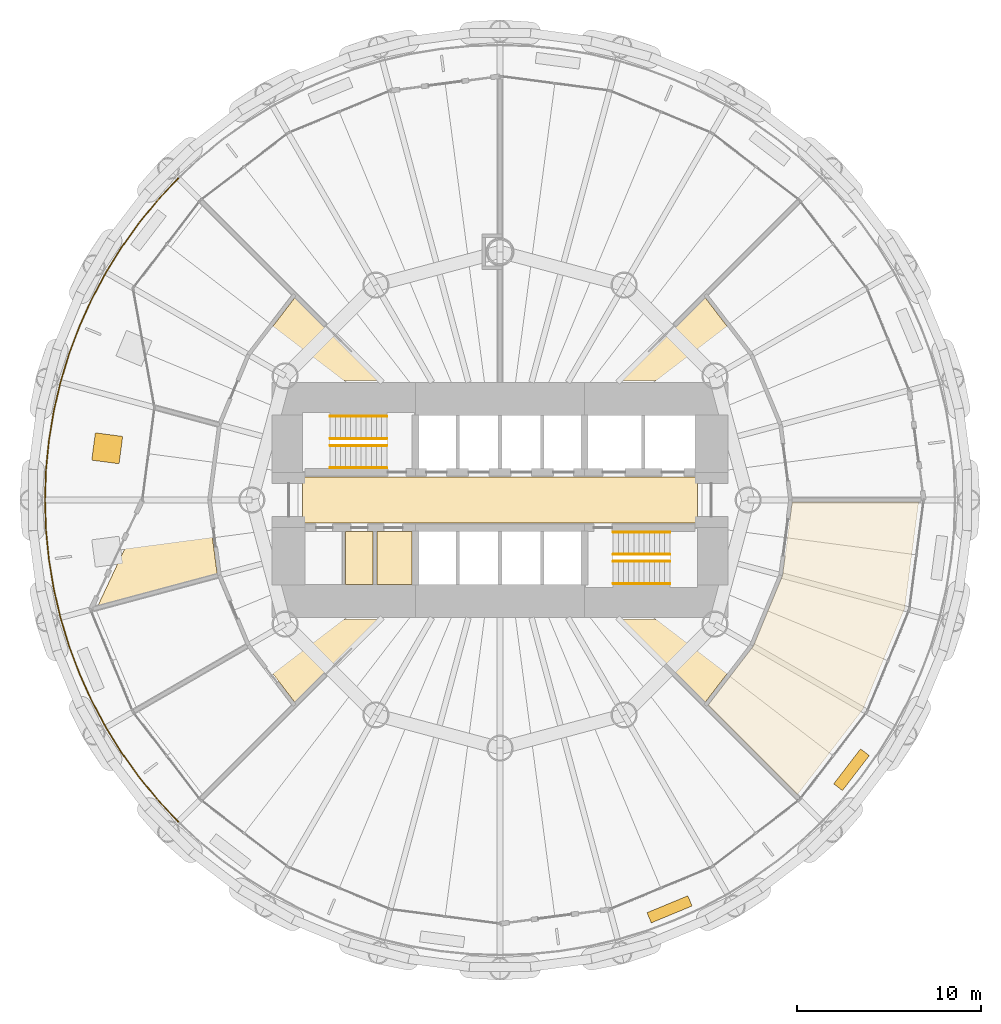
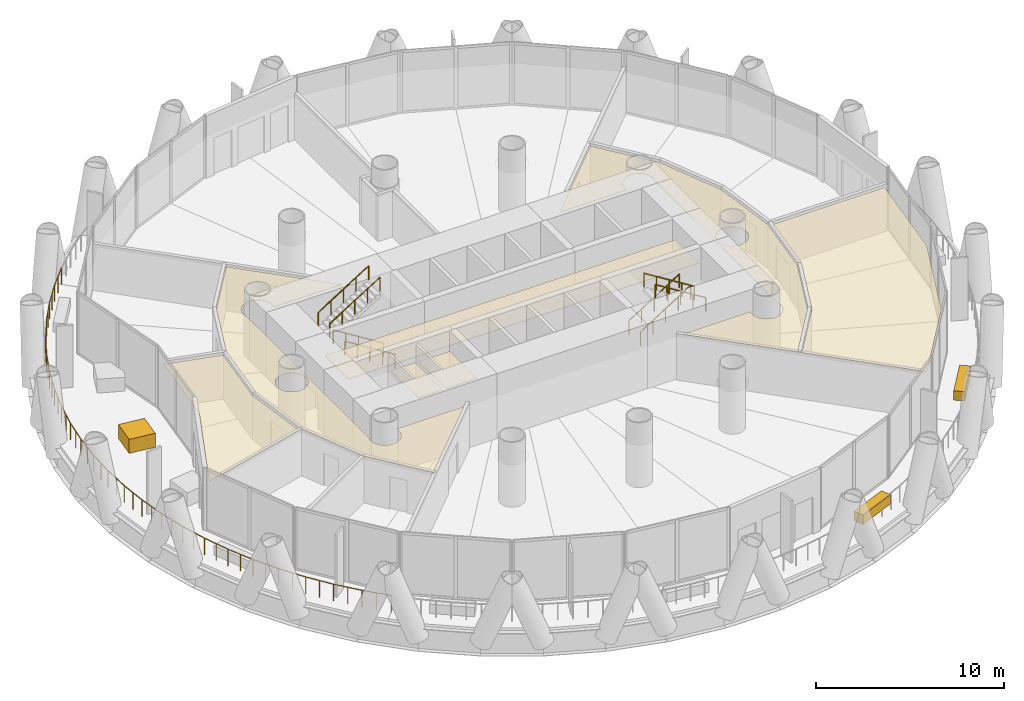
# One storey, part 13 of 15: 10 coverings, 9 railings.
"""IFC4 building model written with IfcOpenShell, lengths in metres."""

from ifc_helpers import new_model, si_unit, direction, frame, origin, origin_2d, place, context, subcontext, project, spatial, polyline, rectangle, circle, outline, extrude, material, layer, layer_set, type_object, element, save


model = new_model("IFC4")

# Units and contexts
model_context = context("Model", 3, precision=1e-05, world=origin(), true_north=direction((0.0, 1.0)))
body_context = subcontext(model_context, "Body", "Model", "MODEL_VIEW")
ifc_project = project(units=[si_unit("LENGTHUNIT", "METRE"), si_unit("AREAUNIT", "SQUARE_METRE"), si_unit("VOLUMEUNIT", "CUBIC_METRE"), si_unit("PLANEANGLEUNIT", "RADIAN"), si_unit("MASSUNIT", "GRAM", prefix="KILO")], contexts=[model_context])

# Site, building, storey
site_placement = place(None, origin())
site = spatial("IfcSite", under=ifc_project, at=site_placement, CompositionType="ELEMENT")
building_placement = place(site_placement, origin())
building = spatial("IfcBuilding", under=site, at=building_placement, Name="Qaws Media Tower", CompositionType="ELEMENT")
storey_placement = place(building_placement, frame((0.0, 0.0, 72.199951171875)))
storey = spatial("IfcBuildingStorey", under=building, at=storey_placement, Name="L15", CompositionType="ELEMENT", Elevation=72.199951171875)

# Railing
ifc_material_1 = material(Name="Stainless steel and glass guard", Category="steel")
railing_type_1 = type_object("IfcRailingType", Name="Balcony guard 1100", PredefinedType="GUARDRAIL", material=ifc_material_1)
railing_placement = place(storey_placement, frame((42.4990234375, 67.5009765625, 0.0)))
element("IfcRailing", 1, at=railing_placement, inside=storey, type_object=railing_type_1, Name="GR1 balcony guard L15-2", PredefinedType="GUARDRAIL", context=body_context, shape_type="SweptSolid", body=[
    extrude(circle(Radius=0.02392578125, at=origin_2d()), frame((0.0, 0.0, 1.076171875), z_axis=(-0.683590062432, -0.729866170297, 0.0), x_axis=(0.729866170297, -0.683590062432, 0.0)), (0.0, 0.0, 1.0), 1.61962890625),
    extrude(circle(Radius=0.02392578125, at=origin_2d()), frame((-1.107177734375, -1.18212890625, 1.076171875), z_axis=(-0.634353572698, -0.773043042014, 0.0), x_axis=(0.773043042014, -0.634353572698, 0.0)), (0.0, 0.0, 1.0), 1.61962890625),
    extrude(circle(Radius=0.02392578125, at=origin_2d()), frame((-2.134521484375, -2.43408203125, 1.076171875), z_axis=(-0.582421013826, -0.812887300094, 0.0), x_axis=(0.812887300094, -0.582421013826, 0.0)), (0.0, 0.0, 1.0), 1.61962890625),
    extrude(circle(Radius=0.02392578125, at=origin_2d()), frame((-3.077880859375, -3.750732421875, 1.076171875), z_axis=(-0.528086930449, -0.849190316648, 0.0), x_axis=(0.849190316648, -0.528086930449, 0.0)), (0.0, 0.0, 1.0), 1.619384765625),
    extrude(circle(Radius=0.02392578125, at=origin_2d()), frame((-3.93310546875, -5.1259765625, 1.076171875), z_axis=(-0.471346949738, -0.881947874294, 0.0), x_axis=(0.881947874294, -0.471346949738, 0.0)), (0.0, 0.0, 1.0), 1.61962890625),
    extrude(circle(Radius=0.02392578125, at=origin_2d()), frame((-4.696533203125, -6.554443359375, 1.076171875), z_axis=(-0.412757736329, -0.910840848393, 0.0), x_axis=(0.910840848393, -0.412757736329, 0.0)), (0.0, 0.0, 1.0), 1.619384765625),
    extrude(circle(Radius=0.02392578125, at=origin_2d()), frame((-5.364990234375, -8.029541015625, 1.076171875), z_axis=(-0.352262970537, -0.935901062927, 0.0), x_axis=(0.935901062927, -0.352262970537, 0.0)), (0.0, 0.0, 1.0), 1.61962890625),
    extrude(circle(Radius=0.02392578125, at=origin_2d()), frame((-5.935546875, -9.54541015625, 1.076171875), z_axis=(-0.290333716596, -0.956925458438, 0.0), x_axis=(0.956925458438, -0.290333716596, 0.0)), (0.0, 0.0, 1.0), 1.61962890625),
    extrude(circle(Radius=0.02392578125, at=origin_2d()), frame((-6.40576171875, -11.09521484375, 1.076171875), z_axis=(-0.227005652619, -0.973893440618, 0.0), x_axis=(0.973893440618, -0.227005652619, 0.0)), (0.0, 0.0, 1.0), 1.61962890625),
    extrude(circle(Radius=0.02392578125, at=origin_2d()), frame((-6.7734375, -12.672607421875, 1.076171875), z_axis=(-0.162956538036, -0.986633248331, 0.0), x_axis=(0.986633248331, -0.162956538036, 0.0)), (0.0, 0.0, 1.0), 1.61962890625),
    extrude(circle(Radius=0.02392578125, at=origin_2d()), frame((-7.037353515625, -14.2705078125, 1.076171875), z_axis=(-0.097981273566, -0.995188258587, 0.0), x_axis=(0.995188258587, -0.097981273566, 0.0)), (0.0, 0.0, 1.0), 1.61962890625),
    extrude(circle(Radius=0.02392578125, at=origin_2d()), frame((-7.196044921875, -15.88232421875, 1.076171875), z_axis=(-0.032712498078, -0.999464803017, 0.0), x_axis=(0.999464803017, -0.032712498078, 0.0)), (0.0, 0.0, 1.0), 1.61962890625),
    extrude(circle(Radius=0.02392578125, at=origin_2d()), frame((-7.2490234375, -17.5009765625, 1.076171875), z_axis=(0.032712498078, -0.999464803017, 0.0), x_axis=(0.999464803017, 0.032712498078, 0.0)), (0.0, 0.0, 1.0), 1.61962890625),
    extrude(circle(Radius=0.02392578125, at=origin_2d()), frame((-7.196044921875, -19.11962890625, 1.076171875), z_axis=(0.097981273566, -0.995188258587, 0.0), x_axis=(0.995188258587, 0.097981273566, 0.0)), (0.0, 0.0, 1.0), 1.61962890625),
    extrude(circle(Radius=0.02392578125, at=origin_2d()), frame((-7.037353515625, -20.7314453125, 1.076171875), z_axis=(0.162956538036, -0.986633248331, 0.0), x_axis=(0.986633248331, 0.162956538036, 0.0)), (0.0, 0.0, 1.0), 1.61962890625),
    extrude(circle(Radius=0.02392578125, at=origin_2d()), frame((-6.7734375, -22.329345703125, 1.076171875), z_axis=(0.227005652619, -0.973893440618, 0.0), x_axis=(0.973893440618, 0.227005652619, 0.0)), (0.0, 0.0, 1.0), 1.61962890625),
    extrude(circle(Radius=0.02392578125, at=origin_2d()), frame((-6.40576171875, -23.90673828125, 1.076171875), z_axis=(0.290333716596, -0.956925458438, 0.0), x_axis=(0.956925458438, 0.290333716596, 0.0)), (0.0, 0.0, 1.0), 1.61962890625),
    extrude(circle(Radius=0.02392578125, at=origin_2d()), frame((-5.935546875, -25.45654296875, 1.076171875), z_axis=(0.352262970537, -0.935901062927, 0.0), x_axis=(0.935901062927, 0.352262970537, 0.0)), (0.0, 0.0, 1.0), 1.61962890625),
    extrude(circle(Radius=0.02392578125, at=origin_2d()), frame((-5.364990234375, -26.972412109375, 1.076171875), z_axis=(0.412757736329, -0.910840848393, 0.0), x_axis=(0.910840848393, 0.412757736329, 0.0)), (0.0, 0.0, 1.0), 1.619384765625),
    extrude(circle(Radius=0.02392578125, at=origin_2d()), frame((-4.696533203125, -28.447509765625, 1.076171875), z_axis=(0.471346949738, -0.881947874294, 0.0), x_axis=(0.881947874294, 0.471346949738, 0.0)), (0.0, 0.0, 1.0), 1.61962890625),
    extrude(circle(Radius=0.02392578125, at=origin_2d()), frame((-3.93310546875, -29.8759765625, 1.076171875), z_axis=(0.528086930449, -0.849190316648, 0.0), x_axis=(0.849190316648, 0.528086930449, 0.0)), (0.0, 0.0, 1.0), 1.619384765625),
    extrude(circle(Radius=0.02392578125, at=origin_2d()), frame((-3.077880859375, -31.251220703125, 1.076171875), z_axis=(0.582421013826, -0.812887300094, 0.0), x_axis=(0.812887300094, 0.582421013826, 0.0)), (0.0, 0.0, 1.0), 1.61962890625),
    extrude(circle(Radius=0.02392578125, at=origin_2d()), frame((-2.134521484375, -32.56787109375, 1.076171875), z_axis=(0.634353572698, -0.773043042014, 0.0), x_axis=(0.773043042014, 0.634353572698, 0.0)), (0.0, 0.0, 1.0), 1.61962890625),
    extrude(circle(Radius=0.02392578125, at=origin_2d()), frame((-1.107177734375, -33.81982421875, 1.076171875), z_axis=(0.683590062432, -0.729866170297, 0.0), x_axis=(0.729866170297, 0.683590062432, 0.0)), (0.0, 0.0, 1.0), 1.61962890625),
    extrude(circle(Radius=0.02099609375, at=origin_2d()), origin(), (0.0, 0.0, 1.0), 1.052001953125),
    extrude(circle(Radius=0.02099609375, at=origin_2d()), frame((-0.5537109375, -0.591064453125, 0.0)), (0.0, 0.0, 1.0), 1.052001953125),
    extrude(circle(Radius=0.02099609375, at=origin_2d()), frame((-1.107177734375, -1.18212890625, 0.0)), (0.0, 0.0, 1.0), 1.052001953125),
    extrude(circle(Radius=0.02099609375, at=origin_2d()), frame((-1.620849609375, -1.80810546875, 0.0)), (0.0, 0.0, 1.0), 1.052001953125),
    extrude(circle(Radius=0.02099609375, at=origin_2d()), frame((-2.134521484375, -2.43408203125, 0.0)), (0.0, 0.0, 1.0), 1.052001953125),
    extrude(circle(Radius=0.02099609375, at=origin_2d()), frame((-2.606201171875, -3.09228515625, 0.0)), (0.0, 0.0, 1.0), 1.052001953125),
    extrude(circle(Radius=0.02099609375, at=origin_2d()), frame((-3.077880859375, -3.750732421875, 0.0)), (0.0, 0.0, 1.0), 1.052001953125),
    extrude(circle(Radius=0.02099609375, at=origin_2d()), frame((-3.50537109375, -4.4384765625, 0.0)), (0.0, 0.0, 1.0), 1.052001953125),
    extrude(circle(Radius=0.02099609375, at=origin_2d()), frame((-3.93310546875, -5.1259765625, 0.0)), (0.0, 0.0, 1.0), 1.052001953125),
    extrude(circle(Radius=0.02099609375, at=origin_2d()), frame((-4.31494140625, -5.84033203125, 0.0)), (0.0, 0.0, 1.0), 1.052001953125),
    extrude(circle(Radius=0.02099609375, at=origin_2d()), frame((-4.696533203125, -6.554443359375, 0.0)), (0.0, 0.0, 1.0), 1.052001953125),
    extrude(circle(Radius=0.02099609375, at=origin_2d()), frame((-5.03076171875, -7.2919921875, 0.0)), (0.0, 0.0, 1.0), 1.052001953125),
    extrude(circle(Radius=0.02099609375, at=origin_2d()), frame((-5.364990234375, -8.029541015625, 0.0)), (0.0, 0.0, 1.0), 1.052001953125),
    extrude(circle(Radius=0.02099609375, at=origin_2d()), frame((-5.650390625, -8.78759765625, 0.0)), (0.0, 0.0, 1.0), 1.052001953125),
    extrude(circle(Radius=0.02099609375, at=origin_2d()), frame((-5.935546875, -9.54541015625, 0.0)), (0.0, 0.0, 1.0), 1.052001953125),
    extrude(circle(Radius=0.02099609375, at=origin_2d()), frame((-6.170654296875, -10.3203125, 0.0)), (0.0, 0.0, 1.0), 1.052001953125),
    extrude(circle(Radius=0.02099609375, at=origin_2d()), frame((-6.40576171875, -11.09521484375, 0.0)), (0.0, 0.0, 1.0), 1.052001953125),
    extrude(circle(Radius=0.02099609375, at=origin_2d()), frame((-6.589599609375, -11.8837890625, 0.0)), (0.0, 0.0, 1.0), 1.052001953125),
    extrude(circle(Radius=0.02099609375, at=origin_2d()), frame((-6.7734375, -12.672607421875, 0.0)), (0.0, 0.0, 1.0), 1.052001953125),
    extrude(circle(Radius=0.02099609375, at=origin_2d()), frame((-6.9052734375, -13.4716796875, 0.0)), (0.0, 0.0, 1.0), 1.052001953125),
    extrude(circle(Radius=0.02099609375, at=origin_2d()), frame((-7.037353515625, -14.2705078125, 0.0)), (0.0, 0.0, 1.0), 1.052001953125),
    extrude(circle(Radius=0.02099609375, at=origin_2d()), frame((-7.11669921875, -15.076416015625, 0.0)), (0.0, 0.0, 1.0), 1.052001953125),
    extrude(circle(Radius=0.02099609375, at=origin_2d()), frame((-7.196044921875, -15.88232421875, 0.0)), (0.0, 0.0, 1.0), 1.052001953125),
    extrude(circle(Radius=0.02099609375, at=origin_2d()), frame((-7.22265625, -16.691650390625, 0.0)), (0.0, 0.0, 1.0), 1.052001953125),
    extrude(circle(Radius=0.02099609375, at=origin_2d()), frame((-7.2490234375, -17.5009765625, 0.0)), (0.0, 0.0, 1.0), 1.052001953125),
    extrude(circle(Radius=0.02099609375, at=origin_2d()), frame((-7.22265625, -18.310302734375, 0.0)), (0.0, 0.0, 1.0), 1.052001953125),
    extrude(circle(Radius=0.02099609375, at=origin_2d()), frame((-7.196044921875, -19.11962890625, 0.0)), (0.0, 0.0, 1.0), 1.052001953125),
    extrude(circle(Radius=0.02099609375, at=origin_2d()), frame((-7.11669921875, -19.925537109375, 0.0)), (0.0, 0.0, 1.0), 1.052001953125),
    extrude(circle(Radius=0.02099609375, at=origin_2d()), frame((-7.037353515625, -20.7314453125, 0.0)), (0.0, 0.0, 1.0), 1.052001953125),
    extrude(circle(Radius=0.02099609375, at=origin_2d()), frame((-6.9052734375, -21.5302734375, 0.0)), (0.0, 0.0, 1.0), 1.052001953125),
    extrude(circle(Radius=0.02099609375, at=origin_2d()), frame((-6.7734375, -22.329345703125, 0.0)), (0.0, 0.0, 1.0), 1.052001953125),
    extrude(circle(Radius=0.02099609375, at=origin_2d()), frame((-6.589599609375, -23.1181640625, 0.0)), (0.0, 0.0, 1.0), 1.052001953125),
    extrude(circle(Radius=0.02099609375, at=origin_2d()), frame((-6.40576171875, -23.90673828125, 0.0)), (0.0, 0.0, 1.0), 1.052001953125),
    extrude(circle(Radius=0.02099609375, at=origin_2d()), frame((-6.170654296875, -24.681640625, 0.0)), (0.0, 0.0, 1.0), 1.052001953125),
    extrude(circle(Radius=0.02099609375, at=origin_2d()), frame((-5.935546875, -25.45654296875, 0.0)), (0.0, 0.0, 1.0), 1.052001953125),
    extrude(circle(Radius=0.02099609375, at=origin_2d()), frame((-5.650390625, -26.21435546875, 0.0)), (0.0, 0.0, 1.0), 1.052001953125),
    extrude(circle(Radius=0.02099609375, at=origin_2d()), frame((-5.364990234375, -26.972412109375, 0.0)), (0.0, 0.0, 1.0), 1.052001953125),
    extrude(circle(Radius=0.02099609375, at=origin_2d()), frame((-5.03076171875, -27.7099609375, 0.0)), (0.0, 0.0, 1.0), 1.052001953125),
    extrude(circle(Radius=0.02099609375, at=origin_2d()), frame((-4.696533203125, -28.447509765625, 0.0)), (0.0, 0.0, 1.0), 1.052001953125),
    extrude(circle(Radius=0.02099609375, at=origin_2d()), frame((-4.31494140625, -29.16162109375, 0.0)), (0.0, 0.0, 1.0), 1.052001953125),
    extrude(circle(Radius=0.02099609375, at=origin_2d()), frame((-3.93310546875, -29.8759765625, 0.0)), (0.0, 0.0, 1.0), 1.052001953125),
    extrude(circle(Radius=0.02099609375, at=origin_2d()), frame((-3.50537109375, -30.5634765625, 0.0)), (0.0, 0.0, 1.0), 1.052001953125),
    extrude(circle(Radius=0.02099609375, at=origin_2d()), frame((-3.077880859375, -31.251220703125, 0.0)), (0.0, 0.0, 1.0), 1.052001953125),
    extrude(circle(Radius=0.02099609375, at=origin_2d()), frame((-2.606201171875, -31.90966796875, 0.0)), (0.0, 0.0, 1.0), 1.052001953125),
    extrude(circle(Radius=0.02099609375, at=origin_2d()), frame((-2.134521484375, -32.56787109375, 0.0)), (0.0, 0.0, 1.0), 1.052001953125),
    extrude(circle(Radius=0.02099609375, at=origin_2d()), frame((-1.620849609375, -33.19384765625, 0.0)), (0.0, 0.0, 1.0), 1.052001953125),
    extrude(circle(Radius=0.02099609375, at=origin_2d()), frame((-1.107177734375, -33.81982421875, 0.0)), (0.0, 0.0, 1.0), 1.052001953125),
    extrude(circle(Radius=0.02099609375, at=origin_2d()), frame((-0.5537109375, -34.410888671875, 0.0)), (0.0, 0.0, 1.0), 1.052001953125),
    extrude(circle(Radius=0.02099609375, at=origin_2d()), frame((0.0, -35.001953125, 0.0)), (0.0, 0.0, 1.0), 1.052001953125),
])

# Coverings
ifc_material_2 = material(Name="600 x 600 mineral fibre tiles in exposed grid, suspended", Category="mineral fibre")
ifc_layer_1 = layer(ifc_material_2, 0.02001953125)
ifc_layer_set_1 = layer_set([ifc_layer_1], Name="Mineral fibre tile ceiling 20")
covering_type_1 = type_object("IfcCoveringType", Name="Mineral fibre tile ceiling 20", PredefinedType="CEILING", material=ifc_layer_set_1)
covering_1_placement = place(storey_placement, frame((0.0, 0.0, 2.85009765625)))
element("IfcCovering", 2, at=covering_1_placement, inside=storey, type_object=covering_type_1, Name="CL1 ceiling L15-01 Corridor", PredefinedType="CEILING", context=body_context, shape_type="SweptSolid", body=[
    extrude(outline(polyline([(46.4150390625, 42.15673828125), (44.847900390625, 45.93994140625), (44.3134765625, 50.0), (44.847900390625, 54.06005859375), (46.4150390625, 57.84326171875), (48.8388671875, 61.001953125), (53.328369140625, 56.512451171875), (49.14599609375, 56.512451171875), (49.14990234375, 56.524658203125), (49.172119140625, 56.63623046875), (49.1796875, 56.75), (49.172119140625, 56.86376953125), (49.14990234375, 56.975341796875), (49.11328125, 57.083251953125), (49.06298828125, 57.185546875), (48.999755859375, 57.2802734375), (48.924560546875, 57.365966796875), (48.8388671875, 57.44091796875), (48.744140625, 57.50439453125), (48.64208984375, 57.5546875), (48.5341796875, 57.59130859375), (48.42236328125, 57.613525390625), (48.30859375, 57.62109375), (48.195068359375, 57.613525390625), (48.083251953125, 57.59130859375), (47.975341796875, 57.5546875), (47.873291015625, 57.50439453125), (47.7783203125, 57.44091796875), (47.69287109375, 57.365966796875), (47.61767578125, 57.2802734375), (47.55419921875, 57.185546875), (47.50390625, 57.083251953125), (47.46728515625, 56.975341796875), (47.445068359375, 56.86376953125), (47.437744140625, 56.75), (47.445068359375, 56.63623046875), (47.46728515625, 56.524658203125), (47.487548828125, 56.465087890625), (47.487548828125, 43.534912109375), (47.46728515625, 43.475341796875), (47.445068359375, 43.36376953125), (47.437744140625, 43.25), (47.445068359375, 43.13623046875), (47.46728515625, 43.024658203125), (47.50390625, 42.916748046875), (47.55419921875, 42.814453125), (47.61767578125, 42.7197265625), (47.69287109375, 42.634033203125), (47.7783203125, 42.55908203125), (47.873291015625, 42.49560546875), (47.975341796875, 42.4453125), (48.083251953125, 42.40869140625), (48.195068359375, 42.386474609375), (48.30859375, 42.37890625), (48.42236328125, 42.386474609375), (48.5341796875, 42.40869140625), (48.64208984375, 42.4453125), (48.744140625, 42.49560546875), (48.8388671875, 42.55908203125), (48.924560546875, 42.634033203125), (48.999755859375, 42.7197265625), (49.06298828125, 42.814453125), (49.11328125, 42.916748046875), (49.14990234375, 43.024658203125), (49.172119140625, 43.13623046875), (49.1796875, 43.25), (49.172119140625, 43.36376953125), (49.14990234375, 43.475341796875), (49.14599609375, 43.487548828125), (53.328369140625, 43.487548828125), (48.8388671875, 38.998046875), (46.4150390625, 42.15673828125)]), holes=[polyline([(47.3046875, 49.666748046875), (47.34130859375, 49.774658203125), (47.363525390625, 49.88623046875), (47.37109375, 50.0), (47.363525390625, 50.11376953125), (47.34130859375, 50.225341796875), (47.3046875, 50.333251953125), (47.25439453125, 50.435546875), (47.19091796875, 50.5302734375), (47.115966796875, 50.615966796875), (47.0302734375, 50.69091796875), (46.935546875, 50.75439453125), (46.833251953125, 50.8046875), (46.725341796875, 50.84130859375), (46.61376953125, 50.863525390625), (46.5, 50.87109375), (46.38623046875, 50.863525390625), (46.274658203125, 50.84130859375), (46.166748046875, 50.8046875), (46.064453125, 50.75439453125), (45.9697265625, 50.69091796875), (45.884033203125, 50.615966796875), (45.80908203125, 50.5302734375), (45.74560546875, 50.435546875), (45.6953125, 50.333251953125), (45.65869140625, 50.225341796875), (45.636474609375, 50.11376953125), (45.62890625, 50.0), (45.636474609375, 49.88623046875), (45.65869140625, 49.774658203125), (45.6953125, 49.666748046875), (45.74560546875, 49.564453125), (45.80908203125, 49.4697265625), (45.884033203125, 49.384033203125), (45.9697265625, 49.30908203125), (46.064453125, 49.24560546875), (46.166748046875, 49.1953125), (46.274658203125, 49.15869140625), (46.38623046875, 49.136474609375), (46.5, 49.12890625), (46.61376953125, 49.136474609375), (46.725341796875, 49.15869140625), (46.833251953125, 49.1953125), (46.935546875, 49.24560546875), (47.0302734375, 49.30908203125), (47.115966796875, 49.384033203125), (47.19091796875, 49.4697265625), (47.25439453125, 49.564453125), (47.3046875, 49.666748046875)])]), origin(), (0.0, 0.0, 1.0), 0.02001953125),
])
covering_2_placement = place(storey_placement, frame((0.0, 0.0, 2.85009765625)))
element("IfcCovering", 3, at=covering_2_placement, inside=storey, type_object=covering_type_1, Name="CL1 ceiling L15-01-1 Corridor", PredefinedType="CEILING", context=body_context, shape_type="SweptSolid", body=[
    extrude(outline(polyline([(73.5849609375, 57.84326171875), (75.152099609375, 54.06005859375), (75.6865234375, 50.0), (75.152099609375, 45.93994140625), (73.5849609375, 42.15673828125), (71.1611328125, 38.998046875), (66.671630859375, 43.487548828125), (70.85400390625, 43.487548828125), (70.85009765625, 43.475341796875), (70.827880859375, 43.36376953125), (70.8203125, 43.25), (70.827880859375, 43.13623046875), (70.85009765625, 43.024658203125), (70.88671875, 42.916748046875), (70.93701171875, 42.814453125), (71.000244140625, 42.7197265625), (71.075439453125, 42.634033203125), (71.1611328125, 42.55908203125), (71.255859375, 42.49560546875), (71.35791015625, 42.4453125), (71.4658203125, 42.40869140625), (71.57763671875, 42.386474609375), (71.69140625, 42.37890625), (71.804931640625, 42.386474609375), (71.916748046875, 42.40869140625), (72.024658203125, 42.4453125), (72.126708984375, 42.49560546875), (72.2216796875, 42.55908203125), (72.30712890625, 42.634033203125), (72.38232421875, 42.7197265625), (72.44580078125, 42.814453125), (72.49609375, 42.916748046875), (72.53271484375, 43.024658203125), (72.554931640625, 43.13623046875), (72.562255859375, 43.25), (72.554931640625, 43.36376953125), (72.53271484375, 43.475341796875), (72.512451171875, 43.534912109375), (72.512451171875, 56.465087890625), (72.53271484375, 56.524658203125), (72.554931640625, 56.63623046875), (72.562255859375, 56.75), (72.554931640625, 56.86376953125), (72.53271484375, 56.975341796875), (72.49609375, 57.083251953125), (72.44580078125, 57.185546875), (72.38232421875, 57.2802734375), (72.30712890625, 57.365966796875), (72.2216796875, 57.44091796875), (72.126708984375, 57.50439453125), (72.024658203125, 57.5546875), (71.916748046875, 57.59130859375), (71.804931640625, 57.613525390625), (71.69140625, 57.62109375), (71.57763671875, 57.613525390625), (71.4658203125, 57.59130859375), (71.35791015625, 57.5546875), (71.255859375, 57.50439453125), (71.1611328125, 57.44091796875), (71.075439453125, 57.365966796875), (71.000244140625, 57.2802734375), (70.93701171875, 57.185546875), (70.88671875, 57.083251953125), (70.85009765625, 56.975341796875), (70.827880859375, 56.86376953125), (70.8203125, 56.75), (70.827880859375, 56.63623046875), (70.85009765625, 56.524658203125), (70.85400390625, 56.512451171875), (66.671630859375, 56.512451171875), (71.1611328125, 61.001953125), (73.5849609375, 57.84326171875)]), holes=[polyline([(74.34130859375, 49.774658203125), (74.363525390625, 49.88623046875), (74.37109375, 50.0), (74.363525390625, 50.11376953125), (74.34130859375, 50.225341796875), (74.3046875, 50.333251953125), (74.25439453125, 50.435546875), (74.19091796875, 50.5302734375), (74.115966796875, 50.615966796875), (74.0302734375, 50.69091796875), (73.935546875, 50.75439453125), (73.833251953125, 50.8046875), (73.725341796875, 50.84130859375), (73.61376953125, 50.863525390625), (73.5, 50.87109375), (73.38623046875, 50.863525390625), (73.274658203125, 50.84130859375), (73.166748046875, 50.8046875), (73.064453125, 50.75439453125), (72.9697265625, 50.69091796875), (72.884033203125, 50.615966796875), (72.80908203125, 50.5302734375), (72.74560546875, 50.435546875), (72.6953125, 50.333251953125), (72.65869140625, 50.225341796875), (72.636474609375, 50.11376953125), (72.62890625, 50.0), (72.636474609375, 49.88623046875), (72.65869140625, 49.774658203125), (72.6953125, 49.666748046875), (72.74560546875, 49.564453125), (72.80908203125, 49.4697265625), (72.884033203125, 49.384033203125), (72.9697265625, 49.30908203125), (73.064453125, 49.24560546875), (73.166748046875, 49.1953125), (73.274658203125, 49.15869140625), (73.38623046875, 49.136474609375), (73.5, 49.12890625), (73.61376953125, 49.136474609375), (73.725341796875, 49.15869140625), (73.833251953125, 49.1953125), (73.935546875, 49.24560546875), (74.0302734375, 49.30908203125), (74.115966796875, 49.384033203125), (74.19091796875, 49.4697265625), (74.25439453125, 49.564453125), (74.3046875, 49.666748046875), (74.34130859375, 49.774658203125)])]), origin(), (0.0, 0.0, 1.0), 0.02001953125),
])
covering_3_placement = place(storey_placement, frame((0.0, 0.0, 2.85009765625)))
element("IfcCovering", 4, at=covering_3_placement, inside=storey, type_object=covering_type_1, Name="CL1 ceiling L15-06 Graphics studio", PredefinedType="CEILING", context=body_context, shape_type="SweptSolid", body=[
    extrude(outline(polyline([(40.804931640625, 49.925048828125), (41.45361328125, 54.85302734375), (44.614013671875, 54.006103515625), (44.08642578125, 50.0), (44.614013671875, 45.993896484375), (38.130615234375, 44.256591796875), (40.804931640625, 49.925048828125)])), origin(), (0.0, 0.0, 1.0), 0.02001953125),
])
covering_4_placement = place(storey_placement, frame((0.0, 0.0, 2.85009765625)))
element("IfcCovering", 5, at=covering_4_placement, inside=storey, type_object=covering_type_1, Name="CL1 ceiling L15-10 Media lab", PredefinedType="CEILING", context=body_context, shape_type="SweptSolid", body=[
    extrude(outline(polyline([(82.0087890625, 44.102783203125), (79.732666015625, 38.607421875), (76.1806640625, 33.978515625), (71.321533203125, 38.83740234375), (73.781494140625, 42.043212890625), (75.37109375, 45.88134765625), (75.898681640625, 49.887451171875), (82.7705078125, 49.887451171875), (82.0087890625, 44.102783203125)])), origin(), (0.0, 0.0, 1.0), 0.02001953125),
])
ifc_material_3 = material(Name="Precast concrete planter with trailing planting", Category="concrete")
ifc_layer_2 = layer(ifc_material_3, 0.60009765625)
ifc_layer_set_2 = layer_set([ifc_layer_2], Name="Planter 2400x600")
covering_type_2 = type_object("IfcCoveringType", Name="Planter 2400x600", PredefinedType="USERDEFINED", material=ifc_layer_set_2)
for number, where, z_axis, x_axis, name in (
    (6, (69.22265625, 27.734619140625, 0.0), (0.0, 0.0, 1.0), (0.923879532511, 0.382683432365, 0.0), "PL1 balcony planter L15-10"),
    (7, (79.119873046875, 35.328857421875, 0.0), (0.0, 0.0, 1.0), (0.608761429009, 0.793353340291, 0.0), "PL1 balcony planter L15-11"),
):
    element("IfcCovering", number, at=place(storey_placement, frame(where, z_axis=z_axis, x_axis=x_axis)), inside=storey, type_object=covering_type_2, Name=name, ObjectType="PLANTER", PredefinedType="USERDEFINED", context=body_context, shape_type="SweptSolid", body=[
        extrude(rectangle(XDim=2.39990234375, YDim=0.60009765625, at=origin_2d()), origin(), (0.0, 0.0, 1.0), 0.60009765625),
    ])
ifc_material_4 = material(Name="Two layers 12.5 moisture-resistant plasterboard on suspended metal furring", Category="gypsum")
ifc_layer_3 = layer(ifc_material_4, 0.02490234375)
ifc_layer_set_3 = layer_set([ifc_layer_3], Name="Plasterboard ceiling 25")
covering_type_3 = type_object("IfcCoveringType", Name="Plasterboard ceiling 25", PredefinedType="CEILING", material=ifc_layer_set_3)
covering_5_placement = place(storey_placement, frame((0.0, 0.0, 2.85009765625)))
element("IfcCovering", 8, at=covering_5_placement, inside=storey, type_object=covering_type_3, Name="CL2 ceiling L15-C01 Lift lobby", PredefinedType="CEILING", context=body_context, shape_type="SweptSolid", body=[
    extrude(outline(polyline([(49.25, 48.75), (49.25, 51.25), (70.75, 51.25), (70.75, 48.75), (49.25, 48.75)])), origin(), (0.0, 0.0, 1.0), 0.02490234375),
])
covering_6_placement = place(storey_placement, frame((0.0, 0.0, 2.85009765625)))
element("IfcCovering", 9, at=covering_6_placement, inside=storey, type_object=covering_type_3, Name="CL2 ceiling L15-C05 WC female", PredefinedType="CEILING", context=body_context, shape_type="SweptSolid", body=[
    extrude(outline(polyline([(51.60009765625, 45.39990234375), (51.60009765625, 48.300048828125), (53.10009765625, 48.300048828125), (53.10009765625, 45.39990234375), (51.60009765625, 45.39990234375)])), origin(), (0.0, 0.0, 1.0), 0.02490234375),
])
covering_7_placement = place(storey_placement, frame((0.0, 0.0, 2.85009765625)))
element("IfcCovering", 10, at=covering_7_placement, inside=storey, type_object=covering_type_3, Name="CL2 ceiling L15-C06 Accessible WC", PredefinedType="CEILING", context=body_context, shape_type="SweptSolid", body=[
    extrude(outline(polyline([(53.300048828125, 45.39990234375), (53.300048828125, 48.300048828125), (55.199951171875, 48.300048828125), (55.199951171875, 45.39990234375), (53.300048828125, 45.39990234375)])), origin(), (0.0, 0.0, 1.0), 0.02490234375),
])

# Railings
ifc_material_5 = material(Name="Steel tube handrail", Category="steel")
railing_type_2 = type_object("IfcRailingType", Name="Stair handrail 900", PredefinedType="HANDRAIL", material=ifc_material_5)
for number, where, name in (
    (11, (53.840087890625, 51.75, 0.175048828125), "HR1 handrail S1 flight 1 L15"),
    (12, (53.840087890625, 52.9599609375, 0.175048828125), "HR1 handrail S1 flight 1 L15"),
):
    element("IfcRailing", number, at=place(storey_placement, frame(where)), inside=storey, type_object=railing_type_2, Name=name, PredefinedType="HANDRAIL", context=body_context, shape_type="SweptSolid", body=[
        extrude(circle(Radius=0.02392578125, at=origin_2d()), frame((0.0, 0.0, 0.8759765625), z_axis=(-0.847998304005, 0.0, 0.529998940003), x_axis=(0.0, -1.0, 0.0)), (0.0, 0.0, 1.0), 3.632080078125),
        extrude(circle(Radius=0.02099609375, at=origin_2d()), origin(), (0.0, 0.0, 1.0), 0.851806640625),
        extrude(circle(Radius=0.02099609375, at=origin_2d()), frame((-0.77001953125, 0.0, 0.481201171875)), (0.0, 0.0, 1.0), 0.851806640625),
        extrude(circle(Radius=0.02099609375, at=origin_2d()), frame((-1.5400390625, 0.0, 0.96240234375)), (0.0, 0.0, 1.0), 0.851806640625),
        extrude(circle(Radius=0.02099609375, at=origin_2d()), frame((-2.31005859375, 0.0, 1.44384765625)), (0.0, 0.0, 1.0), 0.851806640625),
        extrude(circle(Radius=0.02099609375, at=origin_2d()), frame((-3.080078125, 0.0, 1.925048828125)), (0.0, 0.0, 1.0), 0.851806640625),
    ])
for number, where, name in (
    (13, (50.760009765625, 54.550048828125, 2.275146484375), "HR1 handrail S1 flight 2 L15"),
    (14, (50.760009765625, 53.340087890625, 2.275146484375), "HR1 handrail S1 flight 2 L15"),
):
    element("IfcRailing", number, at=place(storey_placement, frame(where)), inside=storey, type_object=railing_type_2, Name=name, PredefinedType="HANDRAIL", context=body_context, shape_type="SweptSolid", body=[
        extrude(circle(Radius=0.02392578125, at=origin_2d()), frame((0.0, 0.0, 0.8759765625), z_axis=(0.848028513186, 0.0, 0.529950602248), x_axis=(0.0, 1.0, 0.0)), (0.0, 0.0, 1.0), 3.632080078125),
        extrude(circle(Radius=0.02099609375, at=origin_2d()), origin(), (0.0, 0.0, 1.0), 0.851806640625),
        extrude(circle(Radius=0.02099609375, at=origin_2d()), frame((0.77001953125, 0.0, 0.481201171875)), (0.0, 0.0, 1.0), 0.851806640625),
        extrude(circle(Radius=0.02099609375, at=origin_2d()), frame((1.5400390625, 0.0, 0.96240234375)), (0.0, 0.0, 1.0), 0.851806640625),
        extrude(circle(Radius=0.02099609375, at=origin_2d()), frame((2.31005859375, 0.0, 1.443603515625)), (0.0, 0.0, 1.0), 0.851806640625),
        extrude(circle(Radius=0.02099609375, at=origin_2d()), frame((3.080078125, 0.0, 1.9248046875)), (0.0, 0.0, 1.0), 0.851806640625),
    ])
for number, where, name in (
    (15, (66.159912109375, 48.25, 0.175048828125), "HR1 handrail S2 flight 1 L15"),
    (16, (66.159912109375, 47.0400390625, 0.175048828125), "HR1 handrail S2 flight 1 L15"),
):
    element("IfcRailing", number, at=place(storey_placement, frame(where)), inside=storey, type_object=railing_type_2, Name=name, PredefinedType="HANDRAIL", context=body_context, shape_type="SweptSolid", body=[
        extrude(circle(Radius=0.02392578125, at=origin_2d()), frame((0.0, 0.0, 0.8759765625), z_axis=(0.847998304005, 0.0, 0.529998940003), x_axis=(0.0, 1.0, 0.0)), (0.0, 0.0, 1.0), 3.632080078125),
        extrude(circle(Radius=0.02099609375, at=origin_2d()), origin(), (0.0, 0.0, 1.0), 0.851806640625),
        extrude(circle(Radius=0.02099609375, at=origin_2d()), frame((0.77001953125, 0.0, 0.481201171875)), (0.0, 0.0, 1.0), 0.851806640625),
        extrude(circle(Radius=0.02099609375, at=origin_2d()), frame((1.5400390625, 0.0, 0.96240234375)), (0.0, 0.0, 1.0), 0.851806640625),
        extrude(circle(Radius=0.02099609375, at=origin_2d()), frame((2.31005859375, 0.0, 1.44384765625)), (0.0, 0.0, 1.0), 0.851806640625),
        extrude(circle(Radius=0.02099609375, at=origin_2d()), frame((3.080078125, 0.0, 1.925048828125)), (0.0, 0.0, 1.0), 0.851806640625),
    ])
for number, where, name in (
    (17, (69.239990234375, 45.449951171875, 2.275146484375), "HR1 handrail S2 flight 2 L15"),
    (18, (69.239990234375, 46.659912109375, 2.275146484375), "HR1 handrail S2 flight 2 L15"),
):
    element("IfcRailing", number, at=place(storey_placement, frame(where)), inside=storey, type_object=railing_type_2, Name=name, PredefinedType="HANDRAIL", context=body_context, shape_type="SweptSolid", body=[
        extrude(circle(Radius=0.02392578125, at=origin_2d()), frame((0.0, 0.0, 0.8759765625), z_axis=(-0.848028513186, 0.0, 0.529950602248), x_axis=(0.0, -1.0, 0.0)), (0.0, 0.0, 1.0), 3.632080078125),
        extrude(circle(Radius=0.02099609375, at=origin_2d()), origin(), (0.0, 0.0, 1.0), 0.851806640625),
        extrude(circle(Radius=0.02099609375, at=origin_2d()), frame((-0.77001953125, 0.0, 0.481201171875)), (0.0, 0.0, 1.0), 0.851806640625),
        extrude(circle(Radius=0.02099609375, at=origin_2d()), frame((-1.5400390625, 0.0, 0.96240234375)), (0.0, 0.0, 1.0), 0.851806640625),
        extrude(circle(Radius=0.02099609375, at=origin_2d()), frame((-2.31005859375, 0.0, 1.443603515625)), (0.0, 0.0, 1.0), 0.851806640625),
        extrude(circle(Radius=0.02099609375, at=origin_2d()), frame((-3.080078125, 0.0, 1.9248046875)), (0.0, 0.0, 1.0), 0.851806640625),
    ])

# Covering
ifc_material_6 = material(Name="Precast concrete tree planter", Category="concrete")
ifc_layer_4 = layer(ifc_material_6, 0.89990234375)
ifc_layer_set_4 = layer_set([ifc_layer_4], Name="Tree planter 1500")
covering_type_4 = type_object("IfcCoveringType", Name="Tree planter 1500", PredefinedType="USERDEFINED", material=ifc_layer_set_4)
covering_8_placement = place(storey_placement, frame((38.63427734375, 52.812744140625, 0.0), z_axis=(0.0, 0.0, 1.0), x_axis=(-0.991444861374, 0.13052619222, 0.0)))
element("IfcCovering", 19, at=covering_8_placement, inside=storey, type_object=covering_type_4, Name="PL2 sky garden tree planter L15-2", ObjectType="PLANTER", PredefinedType="USERDEFINED", context=body_context, shape_type="SweptSolid", body=[
    extrude(rectangle(XDim=1.5, YDim=1.5, at=origin_2d()), origin(), (0.0, 0.0, 1.0), 0.89990234375),
])

save(model, "model.ifc")
